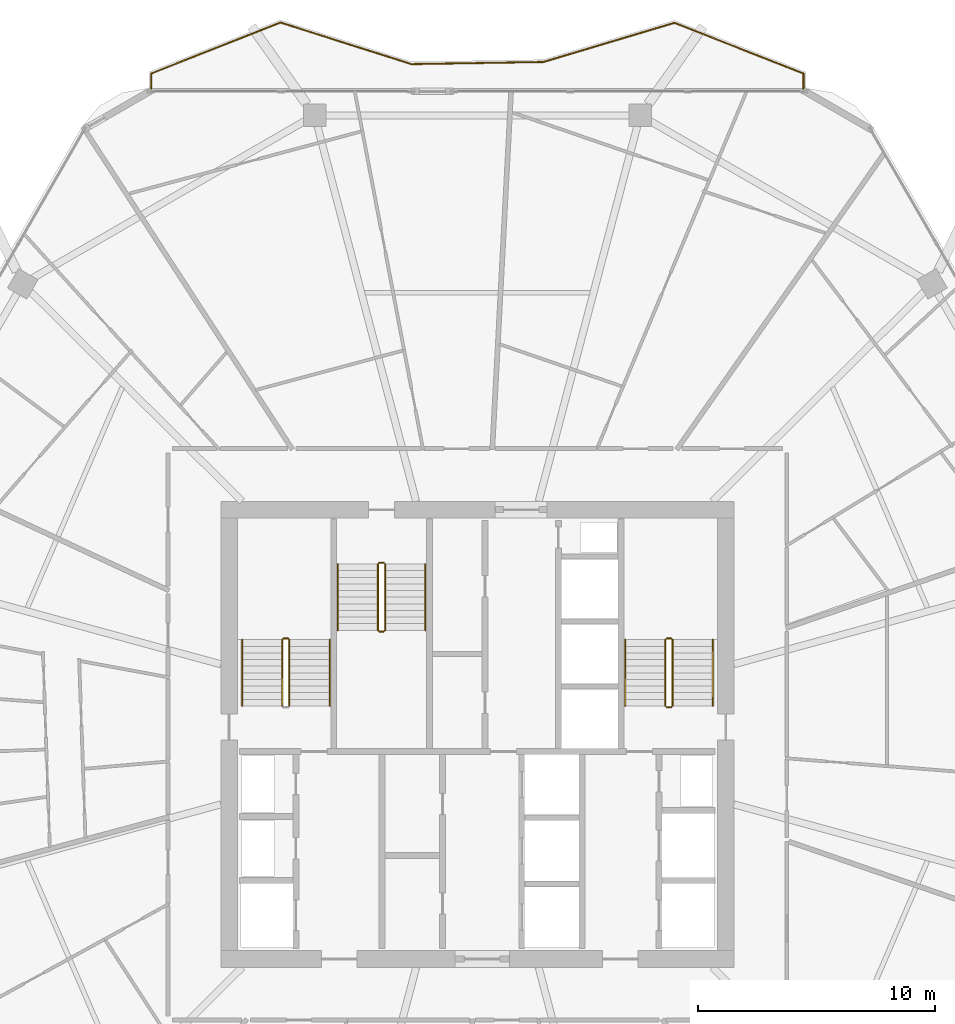
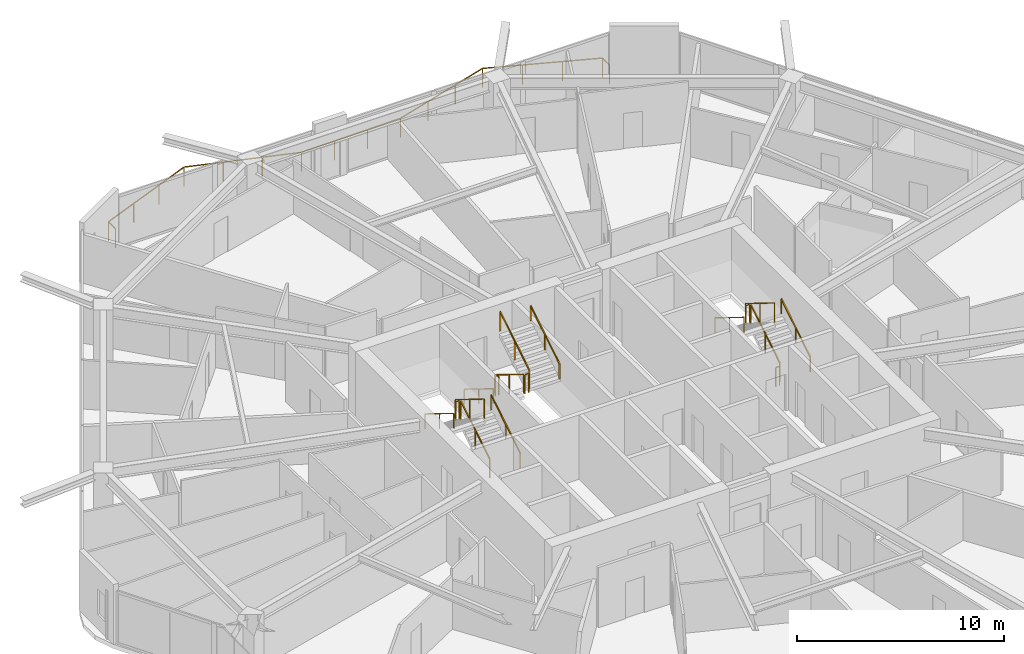
# One storey, part 26 of 27: 18 railings.
"""IFC4 building model written with IfcOpenShell, lengths in metres."""

from ifc_helpers import new_model, si_unit, direction, frame, origin, origin_2d, place, context, subcontext, project, spatial, rectangle, extrude, material, type_object, element, save


model = new_model("IFC4")

# Units and contexts
model_context = context("Model", 3, precision=1e-05, world=origin(), true_north=direction((0.0, 1.0)))
body_context = subcontext(model_context, "Body", "Model", "MODEL_VIEW")
ifc_project = project(units=[si_unit("LENGTHUNIT", "METRE"), si_unit("AREAUNIT", "SQUARE_METRE"), si_unit("VOLUMEUNIT", "CUBIC_METRE"), si_unit("PLANEANGLEUNIT", "RADIAN"), si_unit("MASSUNIT", "GRAM", prefix="KILO")], contexts=[model_context])

# Site, building, storey
site_placement = place(None, origin())
site = spatial("IfcSite", under=ifc_project, at=site_placement, CompositionType="ELEMENT")
building_placement = place(site_placement, origin())
building = spatial("IfcBuilding", under=site, at=building_placement, Name="Zuhravey Tower", CompositionType="ELEMENT")
storey_placement = place(building_placement, frame((0.0, 0.0, 218.800048828125)))
storey = spatial("IfcBuildingStorey", under=building, at=storey_placement, Name="L55", CompositionType="ELEMENT", Elevation=218.800048828125)

# Railings
ifc_material_1 = material(Name="Stainless steel 316 and laminated glass", Category="steel")
railing_type_1 = type_object("IfcRailingType", Name="Balcony & Terrace Guardrail 1150", PredefinedType="BALUSTRADE", material=ifc_material_1)
railing_1_placement = place(storey_placement, frame((22.2099609375, 59.26806640625, 0.0)))
element("IfcRailing", 1, at=railing_1_placement, inside=storey, type_object=railing_type_1, Name="L55 Face 2 Wave Balcony Guardrail GR1", PredefinedType="BALUSTRADE", context=body_context, shape_type="SweptSolid", body=[
    extrude(rectangle(XDim=0.048095703125, YDim=0.048095703125, at=origin_2d()), frame((0.0, 0.001953125, 1.1259765625), z_axis=(0.0, 1.0, 0.0), x_axis=(-1.0, 0.0, 0.0)), (0.0, 0.0, 1.0), 0.668212890625),
    extrude(rectangle(XDim=0.048095703125, YDim=0.048095703125, at=origin_2d()), frame((0.001953125, 0.6728515625, 1.1259765625), z_axis=(0.930034443492, 0.367472358033, 0.0), x_axis=(-0.367472358033, 0.930034443492, 0.0)), (0.0, 0.0, 1.0), 5.866455078125),
    extrude(rectangle(XDim=0.048095703125, YDim=0.048095703125, at=origin_2d()), frame((5.461669921875, 2.828857421875, 1.1259765625), z_axis=(0.953071356351, -0.302745750926, 0.0), x_axis=(0.302745750926, 0.953071356351, 0.0)), (0.0, 0.0, 1.0), 5.80615234375),
    extrude(rectangle(XDim=0.048095703125, YDim=0.048095703125, at=origin_2d()), frame((10.999267578125, 1.0703125, 1.1259765625), z_axis=(0.999867864414, 0.016255882416, 0.0), x_axis=(-0.016255882416, 0.999867864414, 0.0)), (0.0, 0.0, 1.0), 5.5830078125),
    extrude(rectangle(XDim=0.048095703125, YDim=0.048095703125, at=origin_2d()), frame((16.58544921875, 1.16162109375, 1.1259765625), z_axis=(0.95809101423, 0.286463974091, 0.0), x_axis=(-0.286463974091, 0.95809101423, 0.0)), (0.0, 0.0, 1.0), 5.7744140625),
    extrude(rectangle(XDim=0.048095703125, YDim=0.048095703125, at=origin_2d()), frame((22.12158203125, 2.815673828125, 1.1259765625), z_axis=(0.930788920191, -0.365557090001, 0.0), x_axis=(0.365557090001, 0.930788920191, 0.0)), (0.0, 0.0, 1.0), 5.862548828125),
    extrude(rectangle(XDim=0.048095703125, YDim=0.048095703125, at=origin_2d()), frame((27.580078125, 0.669921875, 1.1259765625), z_axis=(0.0, -1.0, 0.0), x_axis=(1.0, 0.0, 0.0)), (0.0, 0.0, 1.0), 0.66796875),
    extrude(rectangle(XDim=0.0419921875, YDim=0.0419921875, at=origin_2d()), origin(), (0.0, 0.0, 1.0), 1.099853515625),
    extrude(rectangle(XDim=0.0419921875, YDim=0.0419921875, at=origin_2d()), frame((0.0, 0.672119140625, 0.0)), (0.0, 0.0, 1.0), 1.099853515625),
    extrude(rectangle(XDim=0.0419921875, YDim=0.0419921875, at=origin_2d()), frame((1.81982421875, 1.39111328125, 0.0)), (0.0, 0.0, 1.0), 1.099853515625),
    extrude(rectangle(XDim=0.0419921875, YDim=0.0419921875, at=origin_2d()), frame((3.639892578125, 2.1103515625, 0.0)), (0.0, 0.0, 1.0), 1.099853515625),
    extrude(rectangle(XDim=0.0419921875, YDim=0.0419921875, at=origin_2d()), frame((5.459716796875, 2.829345703125, 0.0)), (0.0, 0.0, 1.0), 1.099853515625),
    extrude(rectangle(XDim=0.0419921875, YDim=0.0419921875, at=origin_2d()), frame((7.3056640625, 2.242919921875, 0.0)), (0.0, 0.0, 1.0), 1.099853515625),
    extrude(rectangle(XDim=0.0419921875, YDim=0.0419921875, at=origin_2d()), frame((9.1513671875, 1.65673828125, 0.0)), (0.0, 0.0, 1.0), 1.099853515625),
    extrude(rectangle(XDim=0.0419921875, YDim=0.0419921875, at=origin_2d()), frame((10.997314453125, 1.0703125, 0.0)), (0.0, 0.0, 1.0), 1.099853515625),
    extrude(rectangle(XDim=0.0419921875, YDim=0.0419921875, at=origin_2d()), frame((12.859375, 1.1005859375, 0.0)), (0.0, 0.0, 1.0), 1.099853515625),
    extrude(rectangle(XDim=0.0419921875, YDim=0.0419921875, at=origin_2d()), frame((14.721435546875, 1.130859375, 0.0)), (0.0, 0.0, 1.0), 1.099853515625),
    extrude(rectangle(XDim=0.0419921875, YDim=0.0419921875, at=origin_2d()), frame((16.58349609375, 1.1611328125, 0.0)), (0.0, 0.0, 1.0), 1.099853515625),
    extrude(rectangle(XDim=0.0419921875, YDim=0.0419921875, at=origin_2d()), frame((18.428955078125, 1.712890625, 0.0)), (0.0, 0.0, 1.0), 1.099853515625),
    extrude(rectangle(XDim=0.0419921875, YDim=0.0419921875, at=origin_2d()), frame((20.274169921875, 2.2646484375, 0.0)), (0.0, 0.0, 1.0), 1.099853515625),
    extrude(rectangle(XDim=0.0419921875, YDim=0.0419921875, at=origin_2d()), frame((22.11962890625, 2.81640625, 0.0)), (0.0, 0.0, 1.0), 1.099853515625),
    extrude(rectangle(XDim=0.0419921875, YDim=0.0419921875, at=origin_2d()), frame((23.939697265625, 2.1015625, 0.0)), (0.0, 0.0, 1.0), 1.099853515625),
    extrude(rectangle(XDim=0.0419921875, YDim=0.0419921875, at=origin_2d()), frame((25.760009765625, 1.38671875, 0.0)), (0.0, 0.0, 1.0), 1.099853515625),
    extrude(rectangle(XDim=0.0419921875, YDim=0.0419921875, at=origin_2d()), frame((27.580078125, 0.671875, 0.0)), (0.0, 0.0, 1.0), 1.099853515625),
    extrude(rectangle(XDim=0.0419921875, YDim=0.0419921875, at=origin_2d()), frame((27.580078125, 0.0, 0.0)), (0.0, 0.0, 1.0), 1.099853515625),
])
ifc_material_2 = material(Name="Brushed stainless steel", Category="steel")
railing_type_2 = type_object("IfcRailingType", Name="Stair Wall Handrail 900", PredefinedType="HANDRAIL", material=ifc_material_2)
railing_2_placement = place(storey_placement, frame((29.75, 33.199951171875, 0.172607421875)))
element("IfcRailing", 2, at=railing_2_placement, inside=storey, type_object=railing_type_2, Name="L55 ST1 stair handrail 1", PredefinedType="HANDRAIL", context=body_context, shape_type="SweptSolid", body=[
    extrude(rectangle(XDim=0.048095703125, YDim=0.048095703125, at=origin_2d()), frame((0.0, 0.001708984375, 0.876953125), z_axis=(0.0, 0.851089632645, 0.525020415988), x_axis=(-1.0, 0.0, 0.0)), (0.0, 0.0, 1.0), 3.285888671875),
    extrude(rectangle(XDim=0.0419921875, YDim=0.0419921875, at=origin_2d()), origin(), (0.0, 0.0, 1.0), 0.849853515625),
    extrude(rectangle(XDim=0.0419921875, YDim=0.0419921875, at=origin_2d()), frame((0.0, 1.39990234375, 0.86376953125)), (0.0, 0.0, 1.0), 0.849853515625),
    extrude(rectangle(XDim=0.0419921875, YDim=0.0419921875, at=origin_2d()), frame((0.0, 2.800048828125, 1.727294921875)), (0.0, 0.0, 1.0), 0.849853515625),
])
railing_3_placement = place(storey_placement, frame((26.050048828125, 36.0, 2.07275390625)))
element("IfcRailing", 3, at=railing_3_placement, inside=storey, type_object=railing_type_2, Name="L55 ST1 stair handrail 2", PredefinedType="HANDRAIL", context=body_context, shape_type="SweptSolid", body=[
    extrude(rectangle(XDim=0.048095703125, YDim=0.048095703125, at=origin_2d()), frame((0.0, -0.001708984375, 0.876953125), z_axis=(0.0, -0.851089632645, 0.525020415988), x_axis=(1.0, 0.0, 0.0)), (0.0, 0.0, 1.0), 3.285888671875),
    extrude(rectangle(XDim=0.0419921875, YDim=0.0419921875, at=origin_2d()), origin(), (0.0, 0.0, 1.0), 0.849853515625),
    extrude(rectangle(XDim=0.0419921875, YDim=0.0419921875, at=origin_2d()), frame((0.0, -1.39990234375, 0.86376953125)), (0.0, 0.0, 1.0), 0.849853515625),
    extrude(rectangle(XDim=0.0419921875, YDim=0.0419921875, at=origin_2d()), frame((0.0, -2.800048828125, 1.727294921875)), (0.0, 0.0, 1.0), 0.849853515625),
])
railing_4_placement = place(storey_placement, frame((45.949951171875, 33.199951171875, 0.172607421875)))
element("IfcRailing", 4, at=railing_4_placement, inside=storey, type_object=railing_type_2, Name="L55 ST2 stair handrail 1", PredefinedType="HANDRAIL", context=body_context, shape_type="SweptSolid", body=[
    extrude(rectangle(XDim=0.048095703125, YDim=0.048095703125, at=origin_2d()), frame((0.0, 0.001708984375, 0.876953125), z_axis=(0.0, 0.851089632645, 0.525020415988), x_axis=(-1.0, 0.0, 0.0)), (0.0, 0.0, 1.0), 3.285888671875),
    extrude(rectangle(XDim=0.0419921875, YDim=0.0419921875, at=origin_2d()), origin(), (0.0, 0.0, 1.0), 0.849853515625),
    extrude(rectangle(XDim=0.0419921875, YDim=0.0419921875, at=origin_2d()), frame((0.0, 1.39990234375, 0.86376953125)), (0.0, 0.0, 1.0), 0.849853515625),
    extrude(rectangle(XDim=0.0419921875, YDim=0.0419921875, at=origin_2d()), frame((0.0, 2.800048828125, 1.727294921875)), (0.0, 0.0, 1.0), 0.849853515625),
])
for number, where, name in (
    (5, (42.25, 36.0, 2.07275390625), "L55 ST2 stair handrail 2"),
    (6, (30.10009765625, 39.199951171875, 0.172607421875), "L55 ST3 stair handrail 1"),
):
    element("IfcRailing", number, at=place(storey_placement, frame(where)), inside=storey, type_object=railing_type_2, Name=name, PredefinedType="HANDRAIL", context=body_context, shape_type="SweptSolid", body=[
        extrude(rectangle(XDim=0.048095703125, YDim=0.048095703125, at=origin_2d()), frame((0.0, -0.001708984375, 0.876953125), z_axis=(0.0, -0.851089632645, 0.525020415988), x_axis=(1.0, 0.0, 0.0)), (0.0, 0.0, 1.0), 3.285888671875),
        extrude(rectangle(XDim=0.0419921875, YDim=0.0419921875, at=origin_2d()), origin(), (0.0, 0.0, 1.0), 0.849853515625),
        extrude(rectangle(XDim=0.0419921875, YDim=0.0419921875, at=origin_2d()), frame((0.0, -1.39990234375, 0.86376953125)), (0.0, 0.0, 1.0), 0.849853515625),
        extrude(rectangle(XDim=0.0419921875, YDim=0.0419921875, at=origin_2d()), frame((0.0, -2.800048828125, 1.727294921875)), (0.0, 0.0, 1.0), 0.849853515625),
    ])
railing_5_placement = place(storey_placement, frame((33.800048828125, 36.39990234375, 2.07275390625)))
element("IfcRailing", 7, at=railing_5_placement, inside=storey, type_object=railing_type_2, Name="L55 ST3 stair handrail 2", PredefinedType="HANDRAIL", context=body_context, shape_type="SweptSolid", body=[
    extrude(rectangle(XDim=0.048095703125, YDim=0.048095703125, at=origin_2d()), frame((0.0, 0.001708984375, 0.876953125), z_axis=(0.0, 0.851089632645, 0.525020415988), x_axis=(-1.0, 0.0, 0.0)), (0.0, 0.0, 1.0), 3.285888671875),
    extrude(rectangle(XDim=0.0419921875, YDim=0.0419921875, at=origin_2d()), origin(), (0.0, 0.0, 1.0), 0.849853515625),
    extrude(rectangle(XDim=0.0419921875, YDim=0.0419921875, at=origin_2d()), frame((0.0, 1.39990234375, 0.86376953125)), (0.0, 0.0, 1.0), 0.849853515625),
    extrude(rectangle(XDim=0.0419921875, YDim=0.0419921875, at=origin_2d()), frame((0.0, 2.800048828125, 1.727294921875)), (0.0, 0.0, 1.0), 0.849853515625),
])
ifc_material_3 = material(Name="Painted tubular steel", Category="steel")
railing_type_3 = type_object("IfcRailingType", Name="Stair Well Guardrail 1150", PredefinedType="GUARDRAIL", material=ifc_material_3)
railing_6_placement = place(storey_placement, frame((28.050048828125, 33.199951171875, 0.172607421875)))
element("IfcRailing", 8, at=railing_6_placement, inside=storey, type_object=railing_type_3, Name="L55 ST1 stair guard 1", PredefinedType="GUARDRAIL", context=body_context, shape_type="SweptSolid", body=[
    extrude(rectangle(XDim=0.048095703125, YDim=0.048095703125, at=origin_2d()), frame((0.0, 0.001708984375, 1.126953125), z_axis=(0.0, 0.851089632645, 0.525020415988), x_axis=(-1.0, 0.0, 0.0)), (0.0, 0.0, 1.0), 3.285888671875),
    extrude(rectangle(XDim=0.0419921875, YDim=0.0419921875, at=origin_2d()), origin(), (0.0, 0.0, 1.0), 1.099853515625),
    extrude(rectangle(XDim=0.0419921875, YDim=0.0419921875, at=origin_2d()), frame((0.0, 1.39990234375, 0.86376953125)), (0.0, 0.0, 1.0), 1.099853515625),
    extrude(rectangle(XDim=0.0419921875, YDim=0.0419921875, at=origin_2d()), frame((0.0, 2.800048828125, 1.727294921875)), (0.0, 0.0, 1.0), 1.099853515625),
])
railing_7_placement = place(storey_placement, frame((28.0, 36.050048828125, 1.89990234375)))
element("IfcRailing", 9, at=railing_7_placement, inside=storey, type_object=railing_type_3, Name="L55 ST1 stair guard 2", PredefinedType="GUARDRAIL", context=body_context, shape_type="SweptSolid", body=[
    extrude(rectangle(XDim=0.048095703125, YDim=0.048095703125, at=origin_2d()), frame((-0.001953125, 0.0, 1.1259765625), z_axis=(-1.0, 0.0, 0.0), x_axis=(0.0, -1.0, 0.0)), (0.0, 0.0, 1.0), 0.196044921875),
    extrude(rectangle(XDim=0.0419921875, YDim=0.0419921875, at=origin_2d()), origin(), (0.0, 0.0, 1.0), 1.099853515625),
    extrude(rectangle(XDim=0.0419921875, YDim=0.0419921875, at=origin_2d()), frame((-0.199951171875, 0.0, 0.0)), (0.0, 0.0, 1.0), 1.099853515625),
])
railing_8_placement = place(storey_placement, frame((27.75, 36.0, 2.07275390625)))
element("IfcRailing", 10, at=railing_8_placement, inside=storey, type_object=railing_type_3, Name="L55 ST1 stair guard 3", PredefinedType="GUARDRAIL", context=body_context, shape_type="SweptSolid", body=[
    extrude(rectangle(XDim=0.048095703125, YDim=0.048095703125, at=origin_2d()), frame((0.0, -0.001708984375, 1.126953125), z_axis=(0.0, -0.851089632645, 0.525020415988), x_axis=(1.0, 0.0, 0.0)), (0.0, 0.0, 1.0), 3.285888671875),
    extrude(rectangle(XDim=0.0419921875, YDim=0.0419921875, at=origin_2d()), origin(), (0.0, 0.0, 1.0), 1.099853515625),
    extrude(rectangle(XDim=0.0419921875, YDim=0.0419921875, at=origin_2d()), frame((0.0, -1.39990234375, 0.86376953125)), (0.0, 0.0, 1.0), 1.099853515625),
    extrude(rectangle(XDim=0.0419921875, YDim=0.0419921875, at=origin_2d()), frame((0.0, -2.800048828125, 1.727294921875)), (0.0, 0.0, 1.0), 1.099853515625),
])
railing_9_placement = place(storey_placement, frame((44.25, 33.199951171875, 0.172607421875)))
element("IfcRailing", 11, at=railing_9_placement, inside=storey, type_object=railing_type_3, Name="L55 ST2 stair guard 1", PredefinedType="GUARDRAIL", context=body_context, shape_type="SweptSolid", body=[
    extrude(rectangle(XDim=0.048095703125, YDim=0.048095703125, at=origin_2d()), frame((0.0, 0.001708984375, 1.126953125), z_axis=(0.0, 0.851089632645, 0.525020415988), x_axis=(-1.0, 0.0, 0.0)), (0.0, 0.0, 1.0), 3.285888671875),
    extrude(rectangle(XDim=0.0419921875, YDim=0.0419921875, at=origin_2d()), origin(), (0.0, 0.0, 1.0), 1.099853515625),
    extrude(rectangle(XDim=0.0419921875, YDim=0.0419921875, at=origin_2d()), frame((0.0, 1.39990234375, 0.86376953125)), (0.0, 0.0, 1.0), 1.099853515625),
    extrude(rectangle(XDim=0.0419921875, YDim=0.0419921875, at=origin_2d()), frame((0.0, 2.800048828125, 1.727294921875)), (0.0, 0.0, 1.0), 1.099853515625),
])
railing_10_placement = place(storey_placement, frame((44.199951171875, 36.050048828125, 1.89990234375)))
element("IfcRailing", 12, at=railing_10_placement, inside=storey, type_object=railing_type_3, Name="L55 ST2 stair guard 2", PredefinedType="GUARDRAIL", context=body_context, shape_type="SweptSolid", body=[
    extrude(rectangle(XDim=0.048095703125, YDim=0.048095703125, at=origin_2d()), frame((-0.001953125, 0.0, 1.1259765625), z_axis=(-1.0, 0.0, 0.0), x_axis=(0.0, -1.0, 0.0)), (0.0, 0.0, 1.0), 0.196044921875),
    extrude(rectangle(XDim=0.0419921875, YDim=0.0419921875, at=origin_2d()), origin(), (0.0, 0.0, 1.0), 1.099853515625),
    extrude(rectangle(XDim=0.0419921875, YDim=0.0419921875, at=origin_2d()), frame((-0.199951171875, 0.0, 0.0)), (0.0, 0.0, 1.0), 1.099853515625),
])
railing_11_placement = place(storey_placement, frame((43.949951171875, 36.0, 2.07275390625)))
element("IfcRailing", 13, at=railing_11_placement, inside=storey, type_object=railing_type_3, Name="L55 ST2 stair guard 3", PredefinedType="GUARDRAIL", context=body_context, shape_type="SweptSolid", body=[
    extrude(rectangle(XDim=0.048095703125, YDim=0.048095703125, at=origin_2d()), frame((0.0, -0.001708984375, 1.126953125), z_axis=(0.0, -0.851089632645, 0.525020415988), x_axis=(1.0, 0.0, 0.0)), (0.0, 0.0, 1.0), 3.285888671875),
    extrude(rectangle(XDim=0.0419921875, YDim=0.0419921875, at=origin_2d()), origin(), (0.0, 0.0, 1.0), 1.099853515625),
    extrude(rectangle(XDim=0.0419921875, YDim=0.0419921875, at=origin_2d()), frame((0.0, -1.39990234375, 0.86376953125)), (0.0, 0.0, 1.0), 1.099853515625),
    extrude(rectangle(XDim=0.0419921875, YDim=0.0419921875, at=origin_2d()), frame((0.0, -2.800048828125, 1.727294921875)), (0.0, 0.0, 1.0), 1.099853515625),
])
railing_12_placement = place(storey_placement, frame((44.199951171875, 33.14990234375, 0.0)))
element("IfcRailing", 14, at=railing_12_placement, inside=storey, type_object=railing_type_3, Name="L55 ST2 stair guard 4", PredefinedType="GUARDRAIL", context=body_context, shape_type="SweptSolid", body=[
    extrude(rectangle(XDim=0.048095703125, YDim=0.048095703125, at=origin_2d()), frame((-0.001953125, 0.0, 1.1259765625), z_axis=(-1.0, 0.0, 0.0), x_axis=(0.0, -1.0, 0.0)), (0.0, 0.0, 1.0), 0.196044921875),
    extrude(rectangle(XDim=0.0419921875, YDim=0.0419921875, at=origin_2d()), origin(), (0.0, 0.0, 1.0), 1.099853515625),
    extrude(rectangle(XDim=0.0419921875, YDim=0.0419921875, at=origin_2d()), frame((-0.199951171875, 0.0, 0.0)), (0.0, 0.0, 1.0), 1.099853515625),
])
railing_13_placement = place(storey_placement, frame((31.800048828125, 39.199951171875, 0.172607421875)))
element("IfcRailing", 15, at=railing_13_placement, inside=storey, type_object=railing_type_3, Name="L55 ST3 stair guard 1", PredefinedType="GUARDRAIL", context=body_context, shape_type="SweptSolid", body=[
    extrude(rectangle(XDim=0.048095703125, YDim=0.048095703125, at=origin_2d()), frame((0.0, -0.001708984375, 1.126953125), z_axis=(0.0, -0.851089632645, 0.525020415988), x_axis=(1.0, 0.0, 0.0)), (0.0, 0.0, 1.0), 3.285888671875),
    extrude(rectangle(XDim=0.0419921875, YDim=0.0419921875, at=origin_2d()), origin(), (0.0, 0.0, 1.0), 1.099853515625),
    extrude(rectangle(XDim=0.0419921875, YDim=0.0419921875, at=origin_2d()), frame((0.0, -1.39990234375, 0.86376953125)), (0.0, 0.0, 1.0), 1.099853515625),
    extrude(rectangle(XDim=0.0419921875, YDim=0.0419921875, at=origin_2d()), frame((0.0, -2.800048828125, 1.727294921875)), (0.0, 0.0, 1.0), 1.099853515625),
])
railing_14_placement = place(storey_placement, frame((31.85009765625, 36.35009765625, 1.89990234375)))
element("IfcRailing", 16, at=railing_14_placement, inside=storey, type_object=railing_type_3, Name="L55 ST3 stair guard 2", PredefinedType="GUARDRAIL", context=body_context, shape_type="SweptSolid", body=[
    extrude(rectangle(XDim=0.048095703125, YDim=0.048095703125, at=origin_2d()), frame((0.001953125, 0.0, 1.1259765625), z_axis=(1.0, 0.0, 0.0), x_axis=(0.0, 1.0, 0.0)), (0.0, 0.0, 1.0), 0.196044921875),
    extrude(rectangle(XDim=0.0419921875, YDim=0.0419921875, at=origin_2d()), origin(), (0.0, 0.0, 1.0), 1.099853515625),
    extrude(rectangle(XDim=0.0419921875, YDim=0.0419921875, at=origin_2d()), frame((0.199951171875, 0.0, 0.0)), (0.0, 0.0, 1.0), 1.099853515625),
])
railing_15_placement = place(storey_placement, frame((32.10009765625, 36.39990234375, 2.07275390625)))
element("IfcRailing", 17, at=railing_15_placement, inside=storey, type_object=railing_type_3, Name="L55 ST3 stair guard 3", PredefinedType="GUARDRAIL", context=body_context, shape_type="SweptSolid", body=[
    extrude(rectangle(XDim=0.048095703125, YDim=0.048095703125, at=origin_2d()), frame((0.0, 0.001708984375, 1.126953125), z_axis=(0.0, 0.851089632645, 0.525020415988), x_axis=(-1.0, 0.0, 0.0)), (0.0, 0.0, 1.0), 3.285888671875),
    extrude(rectangle(XDim=0.0419921875, YDim=0.0419921875, at=origin_2d()), origin(), (0.0, 0.0, 1.0), 1.099853515625),
    extrude(rectangle(XDim=0.0419921875, YDim=0.0419921875, at=origin_2d()), frame((0.0, 1.39990234375, 0.86376953125)), (0.0, 0.0, 1.0), 1.099853515625),
    extrude(rectangle(XDim=0.0419921875, YDim=0.0419921875, at=origin_2d()), frame((0.0, 2.800048828125, 1.727294921875)), (0.0, 0.0, 1.0), 1.099853515625),
])
railing_16_placement = place(storey_placement, frame((31.85009765625, 39.25, 0.0)))
element("IfcRailing", 18, at=railing_16_placement, inside=storey, type_object=railing_type_3, Name="L55 ST3 stair guard 4", PredefinedType="GUARDRAIL", context=body_context, shape_type="SweptSolid", body=[
    extrude(rectangle(XDim=0.048095703125, YDim=0.048095703125, at=origin_2d()), frame((0.001953125, 0.0, 1.1259765625), z_axis=(1.0, 0.0, 0.0), x_axis=(0.0, 1.0, 0.0)), (0.0, 0.0, 1.0), 0.196044921875),
    extrude(rectangle(XDim=0.0419921875, YDim=0.0419921875, at=origin_2d()), origin(), (0.0, 0.0, 1.0), 1.099853515625),
    extrude(rectangle(XDim=0.0419921875, YDim=0.0419921875, at=origin_2d()), frame((0.199951171875, 0.0, 0.0)), (0.0, 0.0, 1.0), 1.099853515625),
])

save(model, "model.ifc")
